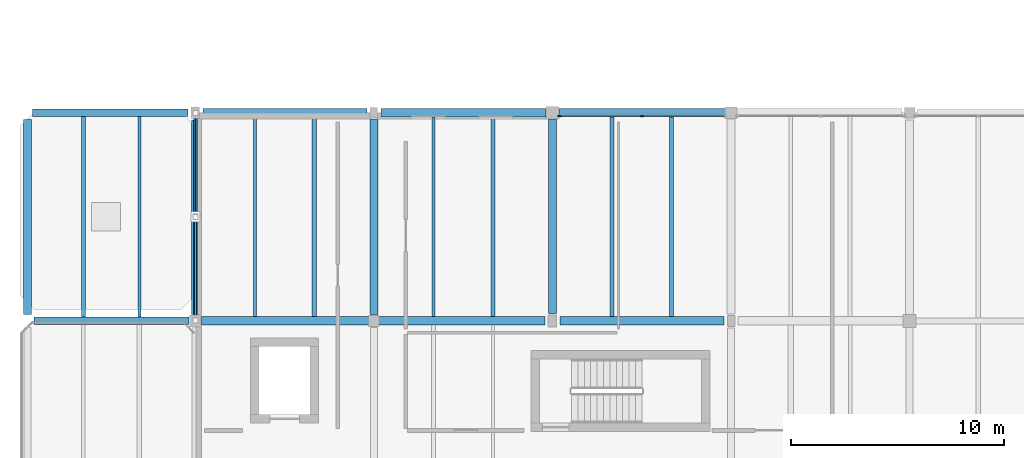
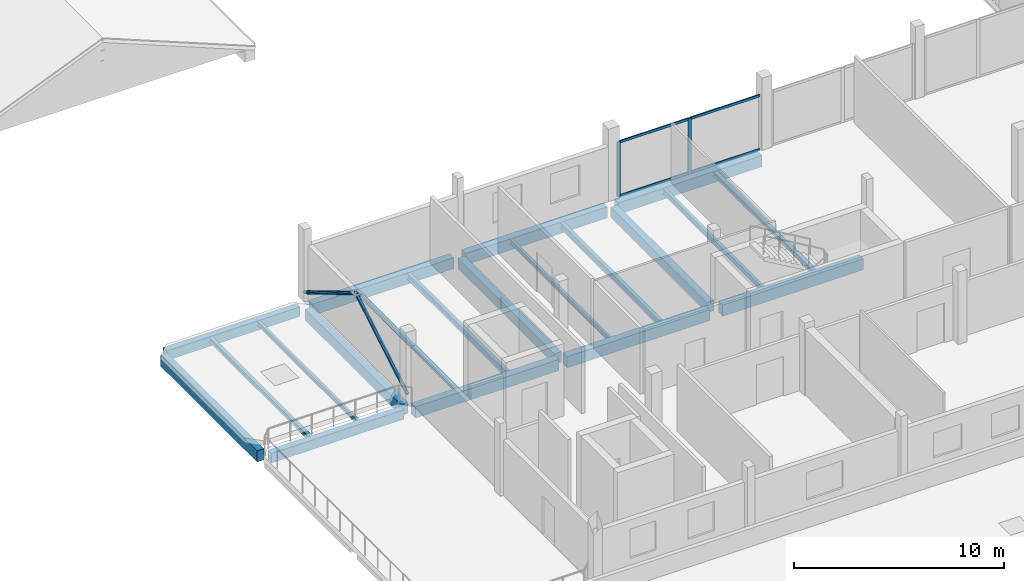
# One storey, part 8 of 66: 20 beams, 8 members, 1 element without a shape of its own.
"""IFC4 building model written with IfcOpenShell, lengths in metres."""

from ifc_helpers import new_model, si_unit, direction, frame, origin, origin_2d, place, context, subcontext, project, spatial, rectangle, hollow_circle, i_section, extrude, material, layer, layer_set, material_profile, profile_set, type_object, element, aggregate, save


model = new_model("IFC4")

# Units and contexts
model_context = context("Model", 3, precision=1e-05, world=origin(), true_north=direction((0.0, 1.0)))
body_context = subcontext(model_context, "Body", "Model", "MODEL_VIEW")
ifc_project = project(units=[si_unit("LENGTHUNIT", "METRE"), si_unit("AREAUNIT", "SQUARE_METRE"), si_unit("VOLUMEUNIT", "CUBIC_METRE"), si_unit("PLANEANGLEUNIT", "RADIAN"), si_unit("MASSUNIT", "GRAM", prefix="KILO")], contexts=[model_context])

# Site, building, storey
site_placement = place(None, origin())
site = spatial("IfcSite", under=ifc_project, at=site_placement, CompositionType="ELEMENT")
building_placement = place(site_placement, origin())
building = spatial("IfcBuilding", under=site, at=building_placement, Name="Birchvale Park Specialist Clinic", CompositionType="ELEMENT")
storey_placement = place(building_placement, frame((0.0, 0.0, 5.39990234375)))
storey = spatial("IfcBuildingStorey", under=building, at=storey_placement, Name="L01", CompositionType="ELEMENT", Elevation=5.39990234375)

# Beams
ifc_material_1 = material(Name="Concrete C40/50", Category="concrete")
ifc_material_profile_1 = material_profile(ifc_material_1, rectangle(XDim=0.3798828125, YDim=0.639892578125, at=origin_2d()), Name="RCB-380x640")
ifc_profile_set_1 = profile_set([ifc_material_profile_1], Name="Concrete C40/50")
beam_type_1 = type_object("IfcBeamType", Name="BM-EXT-BG5", PredefinedType="BEAM", material=ifc_profile_set_1)
beam_1_placement = place(storey_placement, frame((3.300048828125, 34.9150390625, -0.594970703125), z_axis=(0.0, 1.0, 0.0), x_axis=(-1.0, 0.0, 0.0)))
element("IfcBeam", 1, at=beam_1_placement, inside=storey, type_object=beam_type_1, Name="V2 L01 Y girder 41", PredefinedType="BEAM", context=body_context, shape_type="SweptSolid", body=[
    extrude(rectangle(XDim=0.3798828125, YDim=0.639892578125, at=origin_2d()), origin(), (0.0, 0.0, 1.0), 9.169921875),
])
beam_2_placement = place(storey_placement, frame((11.199951171875, 34.89990234375, -0.669921875), z_axis=(0.0, 1.0, 0.0), x_axis=(-1.0, 0.0, 0.0)))
element("IfcBeam", 2, at=beam_2_placement, inside=storey, type_object=beam_type_1, Name="V2 L01 Y girder 46", PredefinedType="BEAM", context=body_context, shape_type="SweptSolid", body=[
    extrude(rectangle(XDim=0.3798828125, YDim=0.639892578125, at=origin_2d()), origin(), (0.0, 0.0, 1.0), 9.150146484375),
])
ifc_material_profile_2 = material_profile(ifc_material_1, rectangle(XDim=0.39990234375, YDim=0.64990234375, at=origin_2d()), Name="RCB-400x650")
ifc_profile_set_2 = profile_set([ifc_material_profile_2], Name="Concrete C40/50")
beam_type_2 = type_object("IfcBeamType", Name="BM-INT-BG4", PredefinedType="BEAM", material=ifc_profile_set_2)
beam_3_placement = place(storey_placement, frame((11.5, 34.60009765625, -0.6748046875), z_axis=(1.0, 0.0, 0.0), x_axis=(0.0, 1.0, 0.0)))
element("IfcBeam", 3, at=beam_3_placement, inside=storey, type_object=beam_type_2, Name="V2 L01 X girder 26", PredefinedType="BEAM", context=body_context, shape_type="SweptSolid", body=[
    extrude(rectangle(XDim=0.39990234375, YDim=0.64990234375, at=origin_2d()), origin(), (0.0, 0.0, 1.0), 7.875),
])
beam_4_placement = place(storey_placement, frame((19.824951171875, 34.60009765625, -0.6748046875), z_axis=(1.0, 0.0, 0.0), x_axis=(0.0, 1.0, 0.0)))
element("IfcBeam", 4, at=beam_4_placement, inside=storey, type_object=beam_type_2, Name="V2 L01 X girder 27", PredefinedType="BEAM", context=body_context, shape_type="SweptSolid", body=[
    extrude(rectangle(XDim=0.39990234375, YDim=0.64990234375, at=origin_2d()), origin(), (0.0, 0.0, 1.0), 7.824951171875),
])
for number, where, z_axis, x_axis, name in (
    (5, (28.35009765625, 34.60009765625, -0.6748046875), (1.0, 0.0, 0.0), (0.0, 1.0, 0.0), "V2 L01 X girder 28"),
    (6, (11.550048828125, 44.39990234375, -0.6748046875), (1.0, 0.0, 0.0), (0.0, 1.0, 0.0), "V2 L01 X girder 32"),
):
    element("IfcBeam", number, at=place(storey_placement, frame(where, z_axis=z_axis, x_axis=x_axis)), inside=storey, type_object=beam_type_2, Name=name, PredefinedType="BEAM", context=body_context, shape_type="SweptSolid", body=[
        extrude(rectangle(XDim=0.39990234375, YDim=0.64990234375, at=origin_2d()), origin(), (0.0, 0.0, 1.0), 7.724853515625),
    ])
beam_5_placement = place(storey_placement, frame((19.925048828125, 44.39990234375, -0.6748046875), z_axis=(1.0, 0.0, 0.0), x_axis=(0.0, 1.0, 0.0)))
element("IfcBeam", 7, at=beam_5_placement, inside=storey, type_object=beam_type_2, Name="V2 L01 X girder 33", PredefinedType="BEAM", context=body_context, shape_type="SweptSolid", body=[
    extrude(rectangle(XDim=0.39990234375, YDim=0.64990234375, at=origin_2d()), origin(), (0.0, 0.0, 1.0), 7.77490234375),
])
beam_6_placement = place(storey_placement, frame((28.300048828125, 44.39990234375, -0.6748046875), z_axis=(1.0, 0.0, 0.0), x_axis=(0.0, 1.0, 0.0)))
element("IfcBeam", 8, at=beam_6_placement, inside=storey, type_object=beam_type_2, Name="V2 L01 X girder 34", PredefinedType="BEAM", context=body_context, shape_type="SweptSolid", body=[
    extrude(rectangle(XDim=0.39990234375, YDim=0.64990234375, at=origin_2d()), origin(), (0.0, 0.0, 1.0), 7.875),
])
ifc_material_profile_3 = material_profile(ifc_material_1, rectangle(XDim=0.3798828125, YDim=0.60009765625, at=origin_2d()), Name="RCB-380x600")
ifc_profile_set_3 = profile_set([ifc_material_profile_3], Name="Concrete C40/50")
beam_type_3 = type_object("IfcBeamType", Name="BM-INT-BG5", PredefinedType="BEAM", material=ifc_profile_set_3)
beam_7_placement = place(storey_placement, frame((19.60009765625, 34.89990234375, -0.64990234375), z_axis=(0.0, 1.0, 0.0), x_axis=(-1.0, 0.0, 0.0)))
element("IfcBeam", 9, at=beam_7_placement, inside=storey, type_object=beam_type_3, Name="V2 L01 Y girder 51", PredefinedType="BEAM", context=body_context, shape_type="SweptSolid", body=[
    extrude(rectangle(XDim=0.3798828125, YDim=0.60009765625, at=origin_2d()), origin(), (0.0, 0.0, 1.0), 9.175048828125),
])
beam_8_placement = place(storey_placement, frame((28.0, 34.949951171875, -0.64990234375), z_axis=(0.0, 1.0, 0.0), x_axis=(-1.0, 0.0, 0.0)))
element("IfcBeam", 10, at=beam_8_placement, inside=storey, type_object=beam_type_3, Name="V2 L01 Y girder 55", PredefinedType="BEAM", context=body_context, shape_type="SweptSolid", body=[
    extrude(rectangle(XDim=0.3798828125, YDim=0.60009765625, at=origin_2d()), origin(), (0.0, 0.0, 1.0), 9.150146484375),
])
ifc_material_profile_4 = material_profile(ifc_material_1, rectangle(XDim=0.35009765625, YDim=0.550048828125, at=origin_2d()), Name="RCB-350x550")
ifc_profile_set_4 = profile_set([ifc_material_profile_4], Name="Concrete C40/50")
beam_type_4 = type_object("IfcBeamType", Name="BM-INT-BG6", PredefinedType="BEAM", material=ifc_profile_set_4)
beam_9_placement = place(storey_placement, frame((3.614990234375, 34.60009765625, -0.5849609375), z_axis=(1.0, 0.0, 0.0), x_axis=(0.0, 1.0, 0.0)))
element("IfcBeam", 11, at=beam_9_placement, inside=storey, type_object=beam_type_4, Name="V2 L01 X girder 25", PredefinedType="BEAM", context=body_context, shape_type="SweptSolid", body=[
    extrude(rectangle(XDim=0.35009765625, YDim=0.550048828125, at=origin_2d()), origin(), (0.0, 0.0, 1.0), 7.284912109375),
])
beam_10_placement = place(storey_placement, frame((3.534912109375, 44.39990234375, -0.5498046875), z_axis=(1.0, 0.0, 0.0), x_axis=(0.0, 1.0, 0.0)))
element("IfcBeam", 12, at=beam_10_placement, inside=storey, type_object=beam_type_4, Name="V2 L01 X girder 31", PredefinedType="BEAM", context=body_context, shape_type="SweptSolid", body=[
    extrude(rectangle(XDim=0.35009765625, YDim=0.550048828125, at=origin_2d()), origin(), (0.0, 0.0, 1.0), 7.315185546875),
])

# Curtain wall, members
ifc_material_2 = material(Name="Thermally broken anodised aluminium", Category="aluminium")
ifc_layer = layer(ifc_material_2, 0.195068359375)
ifc_layer_set = layer_set([ifc_layer], Name="Thermally broken anodised aluminium")
curtain_wall_type = type_object("IfcCurtainWallType", Name="CW-U2", PredefinedType="USERDEFINED", material=ifc_layer_set)
curtain_wall_placement = place(storey_placement, origin())
curtain_wall = element("IfcCurtainWall", 13, at=curtain_wall_placement, inside=storey, type_object=curtain_wall_type, Name="V2 L01 glazed curtain wall 86", ObjectType="UNITISED", PredefinedType="USERDEFINED")
ifc_material_profile_5 = material_profile(ifc_material_2, rectangle(XDim=0.06494140625, YDim=0.179931640625, at=origin_2d()), Name="CWM-65x180")
ifc_profile_set_5 = profile_set([ifc_material_profile_5], Name="Thermally broken anodised aluminium")
member_type_1 = type_object("IfcMemberType", Name="CWM2", PredefinedType="MULLION", material=ifc_profile_set_5)
member_1_placement = place(storey_placement, frame((32.21240234375, 44.2451171875, 0.0), z_axis=(0.0, 0.0, 1.0), x_axis=(0.0, -1.0, 0.0)))
member_1 = element("IfcMember", 14, at=member_1_placement, type_object=member_type_1, Name="CW mullion 2", PredefinedType="MULLION", context=body_context, shape_type="SweptSolid", body=[
    extrude(rectangle(XDim=0.06494140625, YDim=0.179931640625, at=origin_2d()), origin(), (0.0, 0.0, 1.0), 3.18505859375),
])
member_2_placement = place(storey_placement, frame((28.33251953125, 44.2451171875, 0.0), z_axis=(0.0, 0.0, 1.0), x_axis=(0.0, -1.0, 0.0)))
member_2 = element("IfcMember", 15, at=member_2_placement, type_object=member_type_1, Name="CW mullion 3", PredefinedType="MULLION", context=body_context, shape_type="SweptSolid", body=[
    extrude(rectangle(XDim=0.06494140625, YDim=0.179931640625, at=origin_2d()), origin(), (0.0, 0.0, 1.0), 3.18505859375),
])
ifc_material_profile_6 = material_profile(ifc_material_2, rectangle(XDim=0.06494140625, YDim=0.139892578125, at=origin_2d()), Name="CWT-65x140")
ifc_profile_set_6 = profile_set([ifc_material_profile_6], Name="Thermally broken anodised aluminium")
member_type_2 = type_object("IfcMemberType", Name="CWT2", PredefinedType="USERDEFINED", material=ifc_profile_set_6)
member_3_placement = place(storey_placement, frame((36.06005859375, 44.2451171875, 0.03271484375), z_axis=(-1.0, 0.0, 0.0), x_axis=(0.0, -1.0, 0.0)))
member_3 = element("IfcMember", 16, at=member_3_placement, type_object=member_type_2, Name="CW transom 1.1", ObjectType="TRANSOM", PredefinedType="USERDEFINED", context=body_context, shape_type="SweptSolid", body=[
    extrude(rectangle(XDim=0.06494140625, YDim=0.139892578125, at=origin_2d()), origin(), (0.0, 0.0, 1.0), 3.81494140625),
])
member_4_placement = place(storey_placement, frame((36.06005859375, 44.2451171875, 3.152587890625), z_axis=(-1.0, 0.0, 0.0), x_axis=(0.0, -1.0, 0.0)))
member_4 = element("IfcMember", 17, at=member_4_placement, type_object=member_type_2, Name="CW transom 1.2", ObjectType="TRANSOM", PredefinedType="USERDEFINED", context=body_context, shape_type="SweptSolid", body=[
    extrude(rectangle(XDim=0.06494140625, YDim=0.139892578125, at=origin_2d()), origin(), (0.0, 0.0, 1.0), 3.81494140625),
])
member_5_placement = place(storey_placement, frame((32.179931640625, 44.2451171875, 0.03271484375), z_axis=(-1.0, 0.0, 0.0), x_axis=(0.0, -1.0, 0.0)))
member_5 = element("IfcMember", 18, at=member_5_placement, type_object=member_type_2, Name="CW transom 2.1", ObjectType="TRANSOM", PredefinedType="USERDEFINED", context=body_context, shape_type="SweptSolid", body=[
    extrude(rectangle(XDim=0.06494140625, YDim=0.139892578125, at=origin_2d()), origin(), (0.0, 0.0, 1.0), 3.81494140625),
])
member_6_placement = place(storey_placement, frame((32.179931640625, 44.2451171875, 3.152587890625), z_axis=(-1.0, 0.0, 0.0), x_axis=(0.0, -1.0, 0.0)))
member_6 = element("IfcMember", 19, at=member_6_placement, type_object=member_type_2, Name="CW transom 2.2", ObjectType="TRANSOM", PredefinedType="USERDEFINED", context=body_context, shape_type="SweptSolid", body=[
    extrude(rectangle(XDim=0.06494140625, YDim=0.139892578125, at=origin_2d()), origin(), (0.0, 0.0, 1.0), 3.81494140625),
])
aggregate(curtain_wall, [member_1, member_2, member_3, member_4, member_5, member_6])

# Members
ifc_material_3 = material(Name="Steel EN 10210 S355", Category="steel")
ifc_material_profile_7 = material_profile(ifc_material_3, hollow_circle(Radius=0.096923828125, WallThickness=0.008056640625, at=origin_2d()), Name="CHS193.7X8")
ifc_profile_set_7 = profile_set([ifc_material_profile_7], Name="Steel EN 10210 S355")
member_type_3 = type_object("IfcMemberType", Name="MEM-BR3", PredefinedType="BRACE", material=ifc_profile_set_7)
for number, where, z_axis, x_axis, name in (
    (20, (11.199951171875, 34.625732421875, 0.365478515625), (0.0, 0.859042455336, 0.511904346465), (-1.0, 0.0, 0.0), "V2 L01 chevron steel brace 7.1"),
    (21, (11.199951171875, 44.374267578125, 0.365478515625), (0.0, -0.859042455336, 0.511904346465), (1.0, 0.0, 0.0), "V2 L01 chevron steel brace 7.2"),
):
    element("IfcMember", number, at=place(storey_placement, frame(where, z_axis=z_axis, x_axis=x_axis)), inside=storey, type_object=member_type_3, Name=name, PredefinedType="BRACE", context=body_context, shape_type="SweptSolid", body=[
        extrude(hollow_circle(Radius=0.096923828125, WallThickness=0.008056640625, at=origin_2d()), origin(), (0.0, 0.0, 1.0), 5.64404296875),
    ])

# Beams
ifc_material_4 = material(Name="Steel ASTM A992 Grade 50", Category="steel")
ifc_material_profile_8 = material_profile(ifc_material_4, i_section(OverallWidth=0.2041015625, OverallDepth=0.35107421875, WebThickness=0.008544921875, FlangeThickness=0.01513671875, at=origin_2d()), Name="W14X48")
ifc_profile_set_8 = profile_set([ifc_material_profile_8], Name="Steel ASTM A992 Grade 50")
beam_type_5 = type_object("IfcBeamType", Name="STL-INT-SJ1", PredefinedType="JOIST", material=ifc_profile_set_8)
for number, where, z_axis, x_axis, name in (
    (22, (16.800048828125, 34.800048828125, -0.525390625), (0.0, 1.0, 0.0), (-1.0, 0.0, 0.0), "V2 L01 secondary floor joist 16"),
    (23, (25.199951171875, 34.800048828125, -0.525390625), (0.0, 1.0, 0.0), (-1.0, 0.0, 0.0), "V2 L01 secondary floor joist 26"),
):
    element("IfcBeam", number, at=place(storey_placement, frame(where, z_axis=z_axis, x_axis=x_axis)), inside=storey, type_object=beam_type_5, Name=name, PredefinedType="JOIST", context=body_context, shape_type="SweptSolid", body=[
        extrude(i_section(OverallWidth=0.2041015625, OverallDepth=0.35107421875, WebThickness=0.008544921875, FlangeThickness=0.01513671875, at=origin_2d()), origin(), (0.0, 0.0, 1.0), 9.39990234375),
    ])
ifc_material_profile_9 = material_profile(ifc_material_4, i_section(OverallWidth=0.1669921875, OverallDepth=0.31689453125, WebThickness=0.007568359375, FlangeThickness=0.01318359375, at=origin_2d()), Name="W12X35")
ifc_profile_set_9 = profile_set([ifc_material_profile_9], Name="Steel ASTM A992 Grade 50")
beam_type_6 = type_object("IfcBeamType", Name="STL-INT-SJ3", PredefinedType="JOIST", material=ifc_profile_set_9)
beam_11_placement = place(storey_placement, frame((30.800048828125, 34.800048828125, -0.50830078125), z_axis=(0.0, 1.0, 0.0), x_axis=(-1.0, 0.0, 0.0)))
element("IfcBeam", 24, at=beam_11_placement, inside=storey, type_object=beam_type_6, Name="V2 L01 secondary floor joist 33", PredefinedType="JOIST", context=body_context, shape_type="SweptSolid", body=[
    extrude(i_section(OverallWidth=0.1669921875, OverallDepth=0.31689453125, WebThickness=0.007568359375, FlangeThickness=0.01318359375, at=origin_2d()), origin(), (0.0, 0.0, 1.0), 9.39990234375),
])
ifc_material_profile_10 = material_profile(ifc_material_4, i_section(OverallWidth=0.202880859375, OverallDepth=0.251953125, WebThickness=0.008056640625, FlangeThickness=0.013427734375, at=origin_2d()), Name="W10X39")
ifc_profile_set_10 = profile_set([ifc_material_profile_10], Name="Steel ASTM A992 Grade 50")
beam_type_7 = type_object("IfcBeamType", Name="STL-INT-SJ4", PredefinedType="JOIST", material=ifc_profile_set_10)
beam_12_placement = place(storey_placement, frame((5.933349609375, 34.77490234375, -0.40087890625), z_axis=(0.0, 1.0, 0.0), x_axis=(-1.0, 0.0, 0.0)))
element("IfcBeam", 25, at=beam_12_placement, inside=storey, type_object=beam_type_7, Name="V2 L01 secondary floor joist 9", PredefinedType="JOIST", context=body_context, shape_type="SweptSolid", body=[
    extrude(i_section(OverallWidth=0.202880859375, OverallDepth=0.251953125, WebThickness=0.008056640625, FlangeThickness=0.013427734375, at=origin_2d()), origin(), (0.0, 0.0, 1.0), 9.4501953125),
])
beam_13_placement = place(storey_placement, frame((33.60009765625, 34.800048828125, -0.475830078125), z_axis=(0.0, 1.0, 0.0), x_axis=(-1.0, 0.0, 0.0)))
element("IfcBeam", 26, at=beam_13_placement, inside=storey, type_object=beam_type_7, Name="V2 L01 secondary floor joist 34", PredefinedType="JOIST", context=body_context, shape_type="SweptSolid", body=[
    extrude(i_section(OverallWidth=0.202880859375, OverallDepth=0.251953125, WebThickness=0.008056640625, FlangeThickness=0.013427734375, at=origin_2d()), origin(), (0.0, 0.0, 1.0), 9.39990234375),
])
ifc_material_profile_11 = material_profile(ifc_material_4, i_section(OverallWidth=0.14697265625, OverallDepth=0.261962890625, WebThickness=0.006591796875, FlangeThickness=0.01123046875, at=origin_2d()), Name="W10X26")
ifc_profile_set_11 = profile_set([ifc_material_profile_11], Name="Steel ASTM A992 Grade 50")
beam_type_8 = type_object("IfcBeamType", Name="STL-INT-SJ5", PredefinedType="JOIST", material=ifc_profile_set_11)
beam_14_placement = place(storey_placement, frame((8.566650390625, 34.77490234375, -0.406005859375), z_axis=(0.0, 1.0, 0.0), x_axis=(-1.0, 0.0, 0.0)))
element("IfcBeam", 27, at=beam_14_placement, inside=storey, type_object=beam_type_8, Name="V2 L01 secondary floor joist 10", PredefinedType="JOIST", context=body_context, shape_type="SweptSolid", body=[
    extrude(i_section(OverallWidth=0.14697265625, OverallDepth=0.261962890625, WebThickness=0.006591796875, FlangeThickness=0.01123046875, at=origin_2d()), origin(), (0.0, 0.0, 1.0), 9.4501953125),
])
for number, where, z_axis, x_axis, name in (
    (28, (14.0, 34.800048828125, -0.48095703125), (0.0, 1.0, 0.0), (-1.0, 0.0, 0.0), "V2 L01 secondary floor joist 15"),
    (29, (22.39990234375, 34.800048828125, -0.48095703125), (0.0, 1.0, 0.0), (-1.0, 0.0, 0.0), "V2 L01 secondary floor joist 25"),
):
    element("IfcBeam", number, at=place(storey_placement, frame(where, z_axis=z_axis, x_axis=x_axis)), inside=storey, type_object=beam_type_8, Name=name, PredefinedType="JOIST", context=body_context, shape_type="SweptSolid", body=[
        extrude(i_section(OverallWidth=0.14697265625, OverallDepth=0.261962890625, WebThickness=0.006591796875, FlangeThickness=0.01123046875, at=origin_2d()), origin(), (0.0, 0.0, 1.0), 9.39990234375),
    ])

save(model, "model.ifc")
